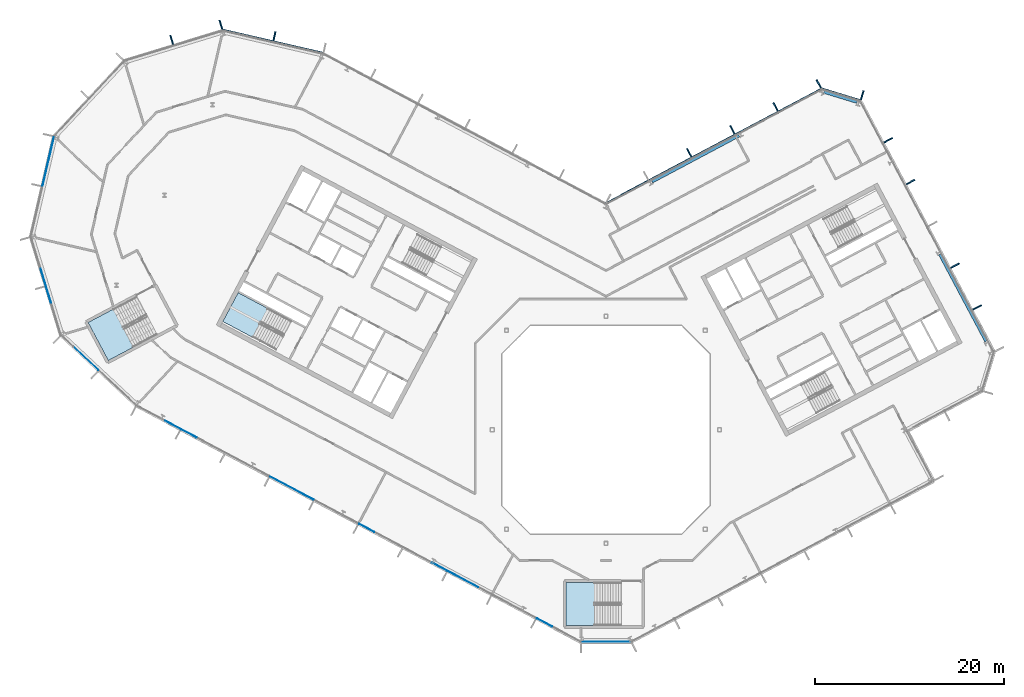
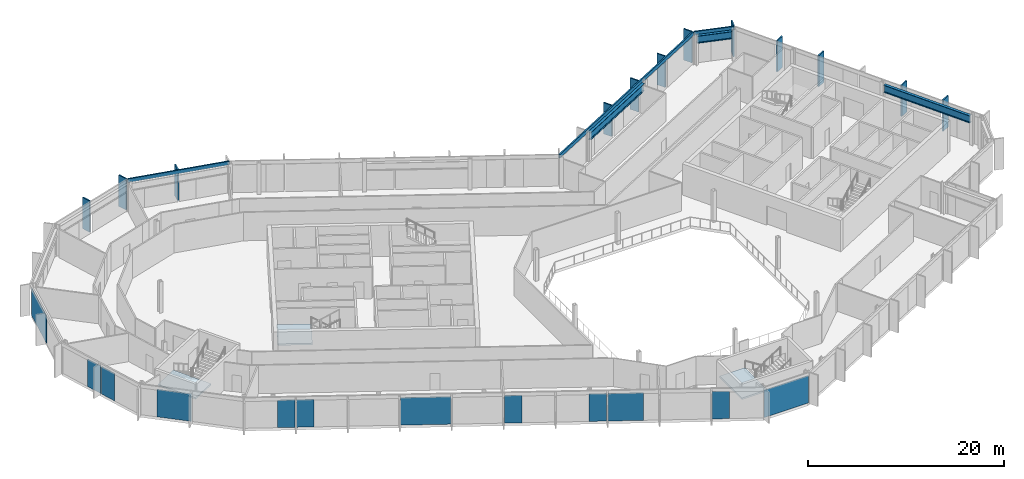
# One storey, part 10 of 26: 15 members, 12 plates, 3 beams, 3 slabs, 13 elements without a shape of their own.
"""IFC4 building model written with IfcOpenShell, lengths in metres."""

from ifc_helpers import new_model, si_unit, direction, frame, origin, origin_2d, place, context, subcontext, project, spatial, polyline, rectangle, i_section, outline, extrude, material, layer, layer_set, material_profile, profile_set, type_object, element, aggregate, save


model = new_model("IFC4")

# Units and contexts
model_context = context("Model", 3, precision=1e-05, world=origin(), true_north=direction((0.0, 1.0)))
body_context = subcontext(model_context, "Body", "Model", "MODEL_VIEW")
ifc_project = project(units=[si_unit("LENGTHUNIT", "METRE"), si_unit("AREAUNIT", "SQUARE_METRE"), si_unit("VOLUMEUNIT", "CUBIC_METRE"), si_unit("PLANEANGLEUNIT", "RADIAN"), si_unit("MASSUNIT", "GRAM", prefix="KILO")], contexts=[model_context])

# Site, building, storey
site_placement = place(None, origin())
site = spatial("IfcSite", under=ifc_project, at=site_placement, CompositionType="ELEMENT")
building_placement = place(site_placement, origin())
building = spatial("IfcBuilding", under=site, at=building_placement, Name="Cormorant Relay Tower", CompositionType="ELEMENT")
storey_placement = place(building_placement, frame((0.0, 0.0, 293.10009765625)))
storey = spatial("IfcBuildingStorey", under=building, at=storey_placement, Name="L66", CompositionType="ELEMENT", Elevation=293.10009765625)

# Curtain wall, members
ifc_material_1 = material(Name="Aluminium 6063-T6 anodised bronze", Category="aluminium")
ifc_layer_1 = layer(ifc_material_1, 0.199951171875)
ifc_layer_set_1 = layer_set([ifc_layer_1], Name="CW1 unitised bronze curtain wall with vertical fins")
curtain_wall_type = type_object("IfcCurtainWallType", Name="CW1 unitised bronze curtain wall with vertical fins", PredefinedType="NOTDEFINED", material=ifc_layer_set_1)
curtain_wall_1_placement = place(storey_placement, origin())
curtain_wall_1 = element("IfcCurtainWall", 1, at=curtain_wall_1_placement, inside=storey, type_object=curtain_wall_type, Name="CW1 curtain wall 6", PredefinedType="NOTDEFINED")
ifc_material_2 = material(Name="Aluminium 6063-T6 anodised bronze", Category="aluminium")
ifc_material_profile_1 = material_profile(ifc_material_2, rectangle(XDim=0.14990234375, YDim=1.0, at=origin_2d()), Name="AL 150x1000")
ifc_profile_set_1 = profile_set([ifc_material_profile_1], Name="Aluminium 6063-T6 anodised bronze")
member_type_1 = type_object("IfcMemberType", Name="CW1 bronze fin mullion 150 x 1000", PredefinedType="MULLION", material=ifc_profile_set_1)
member_1_placement = place(storey_placement, frame((39.222412109375, 12.927001953125, 0.0), z_axis=(0.0, 0.0, 1.0), x_axis=(-0.469471562786, 0.882947592859, 0.0)))
member_1 = element("IfcMember", 2, at=member_1_placement, type_object=member_type_1, Name="CW1 fin 6.2", PredefinedType="MULLION", context=body_context, shape_type="SweptSolid", body=[
    extrude(rectangle(XDim=0.14990234375, YDim=1.0, at=origin_2d()), origin(), (0.0, 0.0, 1.0), 3.89990234375),
])
member_2_placement = place(storey_placement, frame((36.875, 17.341552734375, 0.0), z_axis=(0.0, 0.0, 1.0), x_axis=(-0.469471562786, 0.882947592859, 0.0)))
member_2 = element("IfcMember", 3, at=member_2_placement, type_object=member_type_1, Name="CW1 fin 6.3", PredefinedType="MULLION", context=body_context, shape_type="SweptSolid", body=[
    extrude(rectangle(XDim=0.14990234375, YDim=1.0, at=origin_2d()), origin(), (0.0, 0.0, 1.0), 3.89990234375),
])
member_3_placement = place(storey_placement, frame((32.18017578125, 26.171142578125, 0.0), z_axis=(0.0, 0.0, 1.0), x_axis=(-0.469471562786, 0.882947592859, 0.0)))
member_3 = element("IfcMember", 4, at=member_3_placement, type_object=member_type_1, Name="CW1 fin 6.5", PredefinedType="MULLION", context=body_context, shape_type="SweptSolid", body=[
    extrude(rectangle(XDim=0.14990234375, YDim=1.0, at=origin_2d()), origin(), (0.0, 0.0, 1.0), 3.89990234375),
])
member_4_placement = place(storey_placement, frame((29.832763671875, 30.585693359375, 0.0), z_axis=(0.0, 0.0, 1.0), x_axis=(-0.469471562786, 0.882947592859, 0.0)))
member_4 = element("IfcMember", 5, at=member_4_placement, type_object=member_type_1, Name="CW1 fin 6.6", PredefinedType="MULLION", context=body_context, shape_type="SweptSolid", body=[
    extrude(rectangle(XDim=0.14990234375, YDim=1.0, at=origin_2d()), origin(), (0.0, 0.0, 1.0), 3.89990234375),
])
aggregate(curtain_wall_1, [member_1, member_2, member_3, member_4])

# Curtain wall, member
curtain_wall_2_placement = place(storey_placement, origin())
curtain_wall_2 = element("IfcCurtainWall", 6, at=curtain_wall_2_placement, inside=storey, type_object=curtain_wall_type, Name="CW1 curtain wall 7", PredefinedType="NOTDEFINED")
member_5_placement = place(storey_placement, frame((27.072021484375, 35.34130859375, 0.0), z_axis=(0.0, 0.0, 1.0), x_axis=(-0.956304755963, 0.292371704723, 0.0)))
member_5 = element("IfcMember", 7, at=member_5_placement, type_object=member_type_1, Name="CW1 fin 7.1", PredefinedType="MULLION", context=body_context, shape_type="SweptSolid", body=[
    extrude(rectangle(XDim=0.14990234375, YDim=1.0, at=origin_2d()), origin(), (0.0, 0.0, 1.0), 3.89990234375),
])

# Curtain wall, members
curtain_wall_3_placement = place(storey_placement, origin())
curtain_wall_3 = element("IfcCurtainWall", 8, at=curtain_wall_3_placement, inside=storey, type_object=curtain_wall_type, Name="CW1 curtain wall 8", PredefinedType="NOTDEFINED")
member_6_placement = place(storey_placement, frame((22.4814453125, 36.530517578125, 0.0), z_axis=(0.0, 0.0, 1.0), x_axis=(-0.882947592859, -0.469471562786, 0.0)))
member_6 = element("IfcMember", 9, at=member_6_placement, type_object=member_type_1, Name="CW1 fin 8.1", PredefinedType="MULLION", context=body_context, shape_type="SweptSolid", body=[
    extrude(rectangle(XDim=0.14990234375, YDim=1.0, at=origin_2d()), origin(), (0.0, 0.0, 1.0), 3.89990234375),
])
member_7_placement = place(storey_placement, frame((17.91943359375, 34.104736328125, 0.0), z_axis=(0.0, 0.0, 1.0), x_axis=(-0.882947592859, -0.469471562786, 0.0)))
member_7 = element("IfcMember", 10, at=member_7_placement, type_object=member_type_1, Name="CW1 fin 8.2", PredefinedType="MULLION", context=body_context, shape_type="SweptSolid", body=[
    extrude(rectangle(XDim=0.14990234375, YDim=1.0, at=origin_2d()), origin(), (0.0, 0.0, 1.0), 3.89990234375),
])
member_8_placement = place(storey_placement, frame((13.357421875, 31.67919921875, 0.0), z_axis=(0.0, 0.0, 1.0), x_axis=(-0.882947592859, -0.469471562786, 0.0)))
member_8 = element("IfcMember", 11, at=member_8_placement, type_object=member_type_1, Name="CW1 fin 8.3", PredefinedType="MULLION", context=body_context, shape_type="SweptSolid", body=[
    extrude(rectangle(XDim=0.14990234375, YDim=1.0, at=origin_2d()), origin(), (0.0, 0.0, 1.0), 3.89990234375),
])
member_9_placement = place(storey_placement, frame((8.79541015625, 29.25341796875, 0.0), z_axis=(0.0, 0.0, 1.0), x_axis=(-0.882947592859, -0.469471562786, 0.0)))
member_9 = element("IfcMember", 12, at=member_9_placement, type_object=member_type_1, Name="CW1 fin 8.4", PredefinedType="MULLION", context=body_context, shape_type="SweptSolid", body=[
    extrude(rectangle(XDim=0.14990234375, YDim=1.0, at=origin_2d()), origin(), (0.0, 0.0, 1.0), 3.89990234375),
])

# Curtain wall, member
curtain_wall_4_placement = place(storey_placement, origin())
curtain_wall_4 = element("IfcCurtainWall", 13, at=curtain_wall_4_placement, inside=storey, type_object=curtain_wall_type, Name="CW1 curtain wall 10", PredefinedType="NOTDEFINED")
member_10_placement = place(storey_placement, frame((-35.01220703125, 41.57275390625, 0.0), z_axis=(0.0, 0.0, 1.0), x_axis=(-0.974370064785, 0.224951054344, 0.0)))
member_10 = element("IfcMember", 14, at=member_10_placement, type_object=member_type_1, Name="CW1 fin 10.2", PredefinedType="MULLION", context=body_context, shape_type="SweptSolid", body=[
    extrude(rectangle(XDim=0.14990234375, YDim=1.0, at=origin_2d()), origin(), (0.0, 0.0, 1.0), 3.89990234375),
])

# Curtain wall, members
curtain_wall_5_placement = place(storey_placement, origin())
curtain_wall_5 = element("IfcCurtainWall", 15, at=curtain_wall_5_placement, inside=storey, type_object=curtain_wall_type, Name="CW1 curtain wall 11", PredefinedType="NOTDEFINED")
member_11_placement = place(storey_placement, frame((-40.670166015625, 42.78271484375, 0.0), z_axis=(0.0, 0.0, 1.0), x_axis=(-0.956304755963, -0.292371704723, 0.0)))
member_11 = element("IfcMember", 16, at=member_11_placement, type_object=member_type_1, Name="CW1 fin 11.1", PredefinedType="MULLION", context=body_context, shape_type="SweptSolid", body=[
    extrude(rectangle(XDim=0.14990234375, YDim=1.0, at=origin_2d()), origin(), (0.0, 0.0, 1.0), 3.89990234375),
])
member_12_placement = place(storey_placement, frame((-45.867919921875, 41.193603515625, 0.0), z_axis=(0.0, 0.0, 1.0), x_axis=(-0.956304755963, -0.292371704723, 0.0)))
member_12 = element("IfcMember", 17, at=member_12_placement, type_object=member_type_1, Name="CW1 fin 11.2", PredefinedType="MULLION", context=body_context, shape_type="SweptSolid", body=[
    extrude(rectangle(XDim=0.14990234375, YDim=1.0, at=origin_2d()), origin(), (0.0, 0.0, 1.0), 3.89990234375),
])
aggregate(curtain_wall_5, [member_11, member_12])

# Member
ifc_material_3 = material(Name="Aluminium 6063-T6 anodised bronze", Category="aluminium")
ifc_material_profile_2 = material_profile(ifc_material_3, rectangle(XDim=0.159912109375, YDim=0.449951171875, at=origin_2d()), Name="AL 160x450")
ifc_profile_set_2 = profile_set([ifc_material_profile_2], Name="Aluminium 6063-T6 anodised bronze")
member_type_2 = type_object("IfcMemberType", Name="CW1 bronze transom 160 x 450", PredefinedType="USERDEFINED", material=ifc_profile_set_2)
member_13_placement = place(storey_placement, frame((26.902587890625, 34.78662109375, 3.6748046875), z_axis=(-0.956303761594, 0.292374957137, 0.0), x_axis=(-0.292374957137, -0.956303761594, 0.0)))
member_13 = element("IfcMember", 18, at=member_13_placement, type_object=member_type_2, Name="CW1 transom 7", ObjectType="TRANSOM", PredefinedType="USERDEFINED", context=body_context, shape_type="SweptSolid", body=[
    extrude(rectangle(XDim=0.159912109375, YDim=0.449951171875, at=origin_2d()), origin(), (0.0, 0.0, 1.0), 4.24267578125),
])

aggregate(curtain_wall_2, [member_5, member_13])

member_14_placement = place(storey_placement, frame((22.75390625, 36.018310546875, 3.6748046875), z_axis=(-0.882948156597, -0.469470502547, 0.0), x_axis=(0.469470502547, -0.882948156597, 0.0)))
member_14 = element("IfcMember", 19, at=member_14_placement, type_object=member_type_2, Name="CW1 transom 8", ObjectType="TRANSOM", PredefinedType="USERDEFINED", context=body_context, shape_type="SweptSolid", body=[
    extrude(rectangle(XDim=0.159912109375, YDim=0.449951171875, at=origin_2d()), origin(), (0.0, 0.0, 1.0), 25.834228515625),
])

aggregate(curtain_wall_3, [member_6, member_7, member_8, member_9, member_14])

member_15_placement = place(storey_placement, frame((-29.8466796875, 39.784912109375, 3.6748046875), z_axis=(-0.974365070969, 0.224972683844, 0.0), x_axis=(-0.224972683844, -0.974365070969, 0.0)))
member_15 = element("IfcMember", 20, at=member_15_placement, type_object=member_type_2, Name="CW1 transom 10", ObjectType="TRANSOM", PredefinedType="USERDEFINED", context=body_context, shape_type="SweptSolid", body=[
    extrude(rectangle(XDim=0.159912109375, YDim=0.449951171875, at=origin_2d()), origin(), (0.0, 0.0, 1.0), 10.870361328125),
])

aggregate(curtain_wall_4, [member_10, member_15])

# Beams
ifc_material_4 = material(Name="Steel ASTM A992 (Fy 345 MPa)", Category="steel")
ifc_material_profile_3 = material_profile(ifc_material_4, i_section(OverallWidth=0.307373046875, OverallDepth=0.927001953125, WebThickness=0.019287109375, FlangeThickness=0.031982421875, FilletRadius=0.01904296875, at=origin_2d()), Name="W920x289")
ifc_profile_set_3 = profile_set([ifc_material_profile_3], Name="Steel ASTM A992 (Fy 345 MPa)")
beam_type = type_object("IfcBeamType", Name="Spandrel W920x289", PredefinedType="SPANDREL", material=ifc_profile_set_3)
beam_1_placement = place(storey_placement, frame((40.1591796875, 9.3466796875, 3.076416015625), z_axis=(-0.469474391681, 0.882946088703, 0.0), x_axis=(-0.882946088703, -0.469474391681, 0.0)))
element("IfcBeam", 21, at=beam_1_placement, inside=storey, type_object=beam_type, Name="Spandrel beam L66-006", PredefinedType="SPANDREL", context=body_context, shape_type="SweptSolid", body=[
    extrude(i_section(OverallWidth=0.307373046875, OverallDepth=0.927001953125, WebThickness=0.019287109375, FlangeThickness=0.031982421875, FilletRadius=0.01904296875, at=origin_2d()), origin(), (0.0, 0.0, 1.0), 10.401611328125),
])
beam_2_placement = place(storey_placement, frame((26.512451171875, 34.619873046875, 3.076416015625), z_axis=(-0.956313678807, 0.292342517821, 0.0), x_axis=(-0.292342517821, -0.956313678807, 0.0)))
element("IfcBeam", 22, at=beam_2_placement, inside=storey, type_object=beam_type, Name="Spandrel beam L66-007", PredefinedType="SPANDREL", context=body_context, shape_type="SweptSolid", body=[
    extrude(i_section(OverallWidth=0.307373046875, OverallDepth=0.927001953125, WebThickness=0.019287109375, FlangeThickness=0.031982421875, FilletRadius=0.01904296875, at=origin_2d()), origin(), (0.0, 0.0, 1.0), 3.65185546875),
])
beam_3_placement = place(storey_placement, frame((14.05322265625, 31.082275390625, 3.076416015625), z_axis=(-0.882950644937, -0.469465822617, 0.0), x_axis=(0.469465822617, -0.882950644937, 0.0)))
element("IfcBeam", 23, at=beam_3_placement, inside=storey, type_object=beam_type, Name="Spandrel beam L66-008", PredefinedType="SPANDREL", context=body_context, shape_type="SweptSolid", body=[
    extrude(i_section(OverallWidth=0.307373046875, OverallDepth=0.927001953125, WebThickness=0.019287109375, FlangeThickness=0.031982421875, FilletRadius=0.01904296875, at=origin_2d()), origin(), (0.0, 0.0, 1.0), 10.4013671875),
])

# Curtain wall, plates
curtain_wall_6_placement = place(storey_placement, origin())
curtain_wall_6 = element("IfcCurtainWall", 24, at=curtain_wall_6_placement, inside=storey, type_object=curtain_wall_type, Name="CW1 curtain wall 14", PredefinedType="NOTDEFINED")
ifc_material_5 = material(Name="Tinted laminated glass", Category="glass")
ifc_layer_2 = layer(ifc_material_5, 0.0400390625)
ifc_layer_set_2 = layer_set([ifc_layer_2], Name="CW1 tinted vision panel 1800 module")
plate_type_1 = type_object("IfcPlateType", Name="CW1 tinted vision panel 1800 module", PredefinedType="CURTAIN_PANEL", material=ifc_layer_set_2)
plate_1_placement = place(storey_placement, frame((-59.434814453125, 16.122314453125, 0.0), z_axis=(0.0, 0.0, 1.0), x_axis=(0.292371704723, -0.956304755963, 0.0)))
plate_1 = element("IfcPlate", 25, at=plate_1_placement, type_object=plate_type_1, Name="CW1 panel V01", PredefinedType="CURTAIN_PANEL", context=body_context, shape_type="SweptSolid", body=[
    extrude(rectangle(XDim=1.800048828125, YDim=0.0400390625, at=origin_2d()), origin(), (0.0, 0.0, 1.0), 3.449951171875),
])
plate_2_placement = place(storey_placement, frame((-58.86474609375, 14.25732421875, 0.0), z_axis=(0.0, 0.0, 1.0), x_axis=(0.292371704723, -0.956304755963, 0.0)))
plate_2 = element("IfcPlate", 26, at=plate_2_placement, type_object=plate_type_1, Name="CW1 panel V02", PredefinedType="CURTAIN_PANEL", context=body_context, shape_type="SweptSolid", body=[
    extrude(rectangle(XDim=1.800048828125, YDim=0.0400390625, at=origin_2d()), origin(), (0.0, 0.0, 1.0), 3.449951171875),
])
aggregate(curtain_wall_6, [plate_1, plate_2])

curtain_wall_7_placement = place(storey_placement, origin())
curtain_wall_7 = element("IfcCurtainWall", 27, at=curtain_wall_7_placement, inside=storey, type_object=curtain_wall_type, Name="CW1 curtain wall 16", PredefinedType="NOTDEFINED")
plate_3_placement = place(storey_placement, frame((-45.767578125, 0.5283203125, 0.0), z_axis=(0.0, 0.0, 1.0), x_axis=(0.882947592859, -0.469471562786, 0.0)))
plate_3 = element("IfcPlate", 28, at=plate_3_placement, type_object=plate_type_1, Name="CW1 panel V01", PredefinedType="CURTAIN_PANEL", context=body_context, shape_type="SweptSolid", body=[
    extrude(rectangle(XDim=1.800048828125, YDim=0.0400390625, at=origin_2d()), origin(), (0.0, 0.0, 1.0), 3.449951171875),
])
plate_4_placement = place(storey_placement, frame((-44.0458984375, -0.38720703125, 0.0), z_axis=(0.0, 0.0, 1.0), x_axis=(0.882947592859, -0.469471562786, 0.0)))
plate_4 = element("IfcPlate", 29, at=plate_4_placement, type_object=plate_type_1, Name="CW1 panel V02", PredefinedType="CURTAIN_PANEL", context=body_context, shape_type="SweptSolid", body=[
    extrude(rectangle(XDim=1.800048828125, YDim=0.0400390625, at=origin_2d()), origin(), (0.0, 0.0, 1.0), 3.449951171875),
])
plate_5_placement = place(storey_placement, frame((-25.268798828125, -10.37109375, 0.0), z_axis=(0.0, 0.0, 1.0), x_axis=(0.882947592859, -0.469471562786, 0.0)))
plate_5 = element("IfcPlate", 30, at=plate_5_placement, type_object=plate_type_1, Name="CW1 panel V06", PredefinedType="CURTAIN_PANEL", context=body_context, shape_type="SweptSolid", body=[
    extrude(rectangle(XDim=1.800048828125, YDim=0.0400390625, at=origin_2d()), origin(), (0.0, 0.0, 1.0), 3.449951171875),
])
plate_6_placement = place(storey_placement, frame((-17.601806640625, -14.447509765625, 0.0), z_axis=(0.0, 0.0, 1.0), x_axis=(0.882947592859, -0.469471562786, 0.0)))
plate_6 = element("IfcPlate", 31, at=plate_6_placement, type_object=plate_type_1, Name="CW1 panel V08", PredefinedType="CURTAIN_PANEL", context=body_context, shape_type="SweptSolid", body=[
    extrude(rectangle(XDim=1.800048828125, YDim=0.0400390625, at=origin_2d()), origin(), (0.0, 0.0, 1.0), 3.449951171875),
])
plate_7_placement = place(storey_placement, frame((-6.49169921875, -20.35498046875, 0.0), z_axis=(0.0, 0.0, 1.0), x_axis=(0.882947592859, -0.469471562786, 0.0)))
plate_7 = element("IfcPlate", 32, at=plate_7_placement, type_object=plate_type_1, Name="CW1 panel V11", PredefinedType="CURTAIN_PANEL", context=body_context, shape_type="SweptSolid", body=[
    extrude(rectangle(XDim=1.800048828125, YDim=0.0400390625, at=origin_2d()), origin(), (0.0, 0.0, 1.0), 3.449951171875),
])

# Curtain wall, plate
curtain_wall_8_placement = place(storey_placement, origin())
curtain_wall_8 = element("IfcCurtainWall", 33, at=curtain_wall_8_placement, inside=storey, type_object=curtain_wall_type, Name="CW1 curtain wall 15", PredefinedType="NOTDEFINED")
ifc_material_6 = material(Name="Tinted laminated glass", Category="glass")
ifc_layer_3 = layer(ifc_material_6, 0.0400390625)
ifc_layer_set_3 = layer_set([ifc_layer_3], Name="CW1 tinted vision panel 3600 module")
plate_type_2 = type_object("IfcPlateType", Name="CW1 tinted vision panel 3600 module", PredefinedType="CURTAIN_PANEL", material=ifc_layer_set_3)
plate_8_placement = place(storey_placement, frame((-54.951416015625, 7.55517578125, 0.0), z_axis=(0.0, 0.0, 1.0), x_axis=(0.731353701619, -0.681998360062, 0.0)))
plate_8 = element("IfcPlate", 34, at=plate_8_placement, type_object=plate_type_2, Name="CW1 panel V01", PredefinedType="CURTAIN_PANEL", context=body_context, shape_type="SweptSolid", body=[
    extrude(rectangle(XDim=3.60009765625, YDim=0.0400390625, at=origin_2d()), origin(), (0.0, 0.0, 1.0), 3.449951171875),
])
aggregate(curtain_wall_8, [plate_8])

# Plate
plate_9_placement = place(storey_placement, frame((-15.08544921875, -15.785400390625, 0.0), z_axis=(0.0, 0.0, 1.0), x_axis=(0.882947592859, -0.469471562786, 0.0)))
plate_9 = element("IfcPlate", 35, at=plate_9_placement, type_object=plate_type_2, Name="CW1 panel V09", PredefinedType="CURTAIN_PANEL", context=body_context, shape_type="SweptSolid", body=[
    extrude(rectangle(XDim=3.60009765625, YDim=0.0400390625, at=origin_2d()), origin(), (0.0, 0.0, 1.0), 3.449951171875),
])

# Curtain wall, plate
curtain_wall_9_placement = place(storey_placement, origin())
curtain_wall_9 = element("IfcCurtainWall", 36, at=curtain_wall_9_placement, inside=storey, type_object=curtain_wall_type, Name="CW1 curtain wall 1", PredefinedType="NOTDEFINED")
ifc_material_7 = material(Name="Tinted laminated glass", Category="glass")
ifc_layer_4 = layer(ifc_material_7, 0.0400390625)
ifc_layer_set_4 = layer_set([ifc_layer_4], Name="CW1 tinted vision panel 5400 module")
plate_type_3 = type_object("IfcPlateType", Name="CW1 tinted vision panel 5400 module", PredefinedType="CURTAIN_PANEL", material=ifc_layer_set_4)
plate_10_placement = place(storey_placement, frame((0.03759765625, -22.3955078125, 0.0), z_axis=(0.0, 0.0, 1.0), x_axis=(1.0, 0.0, 0.0)))
plate_10 = element("IfcPlate", 37, at=plate_10_placement, type_object=plate_type_3, Name="CW1 panel V00", PredefinedType="CURTAIN_PANEL", context=body_context, shape_type="SweptSolid", body=[
    extrude(rectangle(XDim=5.22265625, YDim=0.0400390625, at=origin_2d()), origin(), (0.0, 0.0, 1.0), 3.449951171875),
])
aggregate(curtain_wall_9, [plate_10])

curtain_wall_10_placement = place(storey_placement, origin())
curtain_wall_10 = element("IfcCurtainWall", 38, at=curtain_wall_10_placement, inside=storey, type_object=curtain_wall_type, Name="CW1 curtain wall 13", PredefinedType="NOTDEFINED")
plate_11_placement = place(storey_placement, frame((-58.905517578125, 28.341796875, 0.0), z_axis=(0.0, 0.0, 1.0), x_axis=(-0.224951054344, -0.974370064785, 0.0)))
plate_11 = element("IfcPlate", 39, at=plate_11_placement, type_object=plate_type_3, Name="CW1 panel V00", PredefinedType="CURTAIN_PANEL", context=body_context, shape_type="SweptSolid", body=[
    extrude(rectangle(XDim=5.28515625, YDim=0.0400390625, at=origin_2d()), origin(), (0.0, 0.0, 1.0), 3.449951171875),
])
aggregate(curtain_wall_10, [plate_11])

# Plate
plate_12_placement = place(storey_placement, frame((-33.1708984375, -6.169189453125, 0.0), z_axis=(0.0, 0.0, 1.0), x_axis=(0.882947592859, -0.469471562786, 0.0)))
plate_12 = element("IfcPlate", 40, at=plate_12_placement, type_object=plate_type_3, Name="CW1 panel V04", PredefinedType="CURTAIN_PANEL", context=body_context, shape_type="SweptSolid", body=[
    extrude(rectangle(XDim=5.16650390625, YDim=0.0400390625, at=origin_2d()), origin(), (0.0, 0.0, 1.0), 3.449951171875),
])

aggregate(curtain_wall_7, [plate_3, plate_4, plate_12, plate_5, plate_6, plate_9, plate_7])

# Stair, slab
ifc_material_8 = material(Name="Concrete 40 MPa", Category="concrete")
stair_type_1 = type_object("IfcStairType", Name="Exit stair 1500", PredefinedType="HALF_TURN_STAIR", material=ifc_material_8)
stair_1_placement = place(storey_placement, origin())
stair_1 = element("IfcStair", 41, at=stair_1_placement, inside=storey, type_object=stair_type_1, Name="L66 Stair", PredefinedType="HALF_TURN_STAIR")
ifc_material_9 = material(Name="Concrete 40 MPa", Category="concrete")
ifc_layer_5 = layer(ifc_material_9, 0.199951171875)
ifc_layer_set_5 = layer_set([ifc_layer_5], Name="Exit stair landing 200")
slab_type = type_object("IfcSlabType", Name="Exit stair landing 200", PredefinedType="LANDING", material=ifc_layer_set_5)
slab_1_placement = place(storey_placement, frame((0.0, 0.0, 1.75)))
slab_1 = element("IfcSlab", 42, at=slab_1_placement, type_object=slab_type, Name="A2 landing 1", PredefinedType="LANDING", context=body_context, shape_type="SweptSolid", body=[
    extrude(outline(polyline([(-35.71337890625, 12.816650390625), (-38.84765625, 14.483154296875), (-40.467529296875, 11.43701171875), (-37.3330078125, 9.7705078125), (-35.71337890625, 12.816650390625)])), origin(), (0.0, 0.0, 1.0), 0.199951171875),
])
aggregate(stair_1, [slab_1])

ifc_material_10 = material(Name="Concrete 40 MPa", Category="concrete")
stair_type_2 = type_object("IfcStairType", Name="Remote exit stair 2200", PredefinedType="HALF_TURN_STAIR", material=ifc_material_10)
stair_2_placement = place(storey_placement, origin())
stair_2 = element("IfcStair", 43, at=stair_2_placement, inside=storey, type_object=stair_type_2, Name="L66 Stair", PredefinedType="HALF_TURN_STAIR")
slab_2_placement = place(storey_placement, frame((0.0, 0.0, 1.75)))
slab_2 = element("IfcSlab", 44, at=slab_2_placement, type_object=slab_type, Name="RK1 landing 1", PredefinedType="LANDING", context=body_context, shape_type="SweptSolid", body=[
    extrude(outline(polyline([(-1.199951171875, -16.125), (-4.199951171875, -16.125), (-4.199951171875, -20.675048828125), (-1.199951171875, -20.675048828125), (-1.199951171875, -16.125)])), origin(), (0.0, 0.0, 1.0), 0.199951171875),
])
aggregate(stair_2, [slab_2])

stair_3_placement = place(storey_placement, origin())
stair_3 = element("IfcStair", 45, at=stair_3_placement, inside=storey, type_object=stair_type_2, Name="L66 Stair", PredefinedType="HALF_TURN_STAIR")
slab_3_placement = place(storey_placement, frame((0.0, 0.0, 1.75)))
slab_3 = element("IfcSlab", 46, at=slab_3_placement, type_object=slab_type, Name="RP1 landing 1", PredefinedType="LANDING", context=body_context, shape_type="SweptSolid", body=[
    extrude(outline(polyline([(-52.051025390625, 12.7392578125), (-54.699951171875, 11.330810546875), (-52.563720703125, 7.3134765625), (-49.914794921875, 8.721923828125), (-52.051025390625, 12.7392578125)])), origin(), (0.0, 0.0, 1.0), 0.199951171875),
])
aggregate(stair_3, [slab_3])

save(model, "model.ifc")
